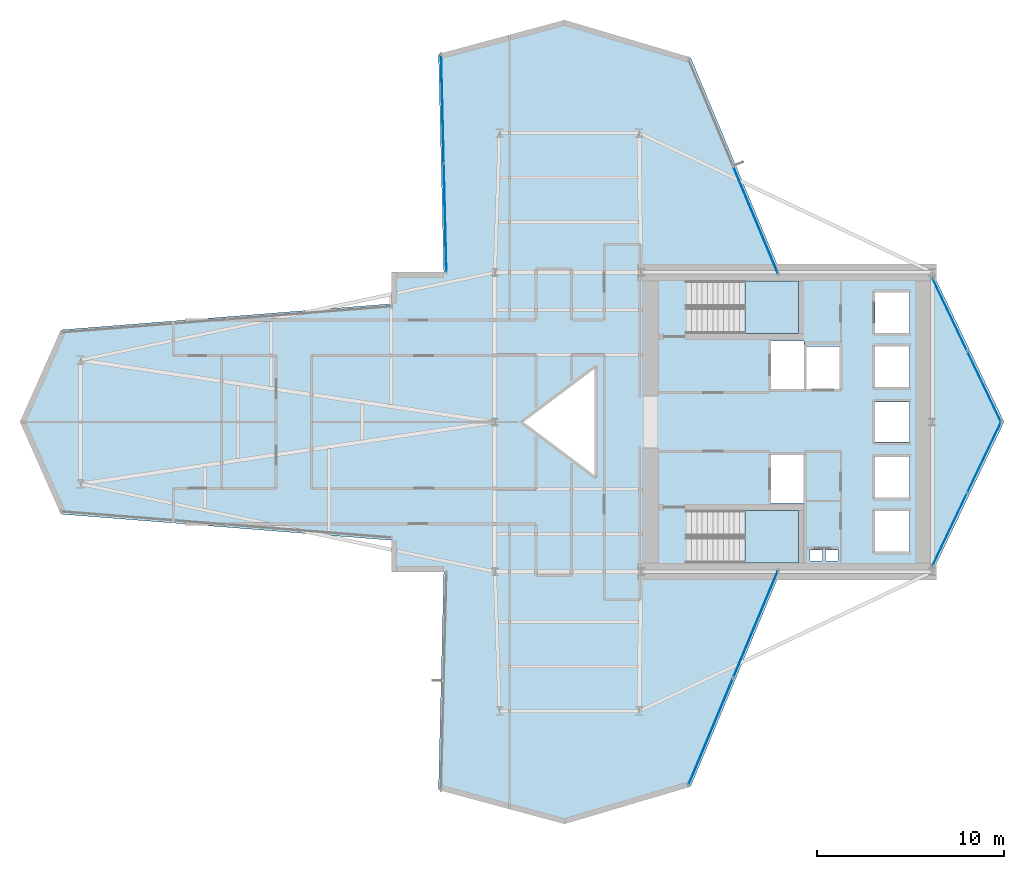
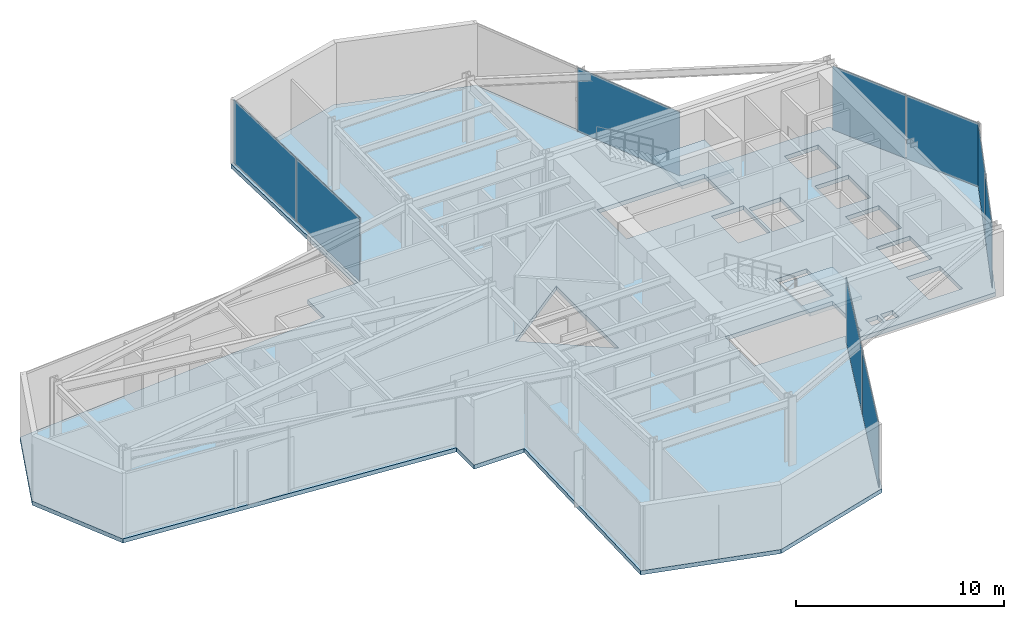
# One storey, part 20 of 25: 9 plates, 3 slabs, 7 elements without a shape of their own.
"""IFC4 building model written with IfcOpenShell, lengths in metres."""

import ifcopenshell
import ifcopenshell.guid

model = None  # the IFC model being written
_history = None  # IfcOwnerHistory: only IFC2X3 demands one
_inside = {}  # id of a spatial element -> (the spatial element, [elements in it])
_under = {}  # id of a project, library or spatial element -> (it, [spatial elements below it])
_declared = {}  # id of a project -> (the project, [libraries it declares])
_typed = {}  # id of a type object -> (the type object, [elements of that type])
_made_of = {}  # id of a material, layer set ... -> (it, [elements and type objects made of it])


def new_model(schema):
    """Start an empty IFC model of exactly this schema.

    Asked for "IFC4X3", IfcOpenShell would pick the latest addendum, in which some entities
    have other attributes; the version numbers below select the first issue.
    IFC2X3 requires an IfcOwnerHistory on every rooted entity: one is made here for all.
    """
    global model, _history
    if schema == "IFC4X3":
        model = ifcopenshell.file(schema_version=(4, 3, 0, 0))
    else:
        model = ifcopenshell.file(schema=schema)
    _inside.clear()
    _under.clear()
    _declared.clear()
    _typed.clear()
    _made_of.clear()
    _history = None
    if model.schema == "IFC2X3":
        org = make("IfcOrganization", Name="unknown")
        user = make(
            "IfcPersonAndOrganization",
            ThePerson=make("IfcPerson", FamilyName="unknown"),
            TheOrganization=org,
        )
        app = make(
            "IfcApplication",
            ApplicationDeveloper=org,
            Version="unknown",
            ApplicationFullName="unknown",
            ApplicationIdentifier="unknown",
        )
        _history = make(
            "IfcOwnerHistory",
            OwningUser=user,
            OwningApplication=app,
            ChangeAction="ADDED",
            CreationDate=0,
        )
    return model


def make(cls, **values):
    """One entity of the class cls with the attributes given. An attribute that is None is left unset."""
    return model.create_entity(
        cls, **{name: value for name, value in values.items() if value is not None}
    )


def rooted(cls, **values):
    """An entity with a GlobalId (a new one), such as an element, a storey or a relation."""
    return make(cls, GlobalId=ifcopenshell.guid.new(), OwnerHistory=_history, **values)


def si_unit(unit_type, name, prefix=None):
    """IfcSIUnit, for example si_unit("LENGTHUNIT", "METRE", prefix="MILLI")."""
    return make("IfcSIUnit", UnitType=unit_type, Prefix=prefix, Name=name)


def assignment(units):
    """IfcUnitAssignment: the units of a project."""
    return None if units is None else make("IfcUnitAssignment", Units=units)


def point(xyz):
    """IfcCartesianPoint."""
    return None if xyz is None else make("IfcCartesianPoint", Coordinates=xyz)


def direction(xyz):
    """IfcDirection."""
    return None if xyz is None else make("IfcDirection", DirectionRatios=xyz)


def frame(location, z_axis=None, x_axis=None):
    """IfcAxis2Placement3D, a coordinate frame: its origin and axes. An axis left out is left unset."""
    return make(
        "IfcAxis2Placement3D",
        Location=point(location),
        Axis=direction(z_axis),
        RefDirection=direction(x_axis),
    )


def frame_2d(location, x_axis=None):
    """IfcAxis2Placement2D, a coordinate frame in the plane: its origin and x axis."""
    return make(
        "IfcAxis2Placement2D", Location=point(location), RefDirection=direction(x_axis)
    )


def origin():
    """The frame at (0, 0, 0) with its axes left unset."""
    return frame((0.0, 0.0, 0.0))


def origin_2d():
    """The frame at (0, 0) in the plane with its x axis left unset."""
    return frame_2d((0.0, 0.0))


def place(relative_to, where):
    """IfcLocalPlacement: puts the frame where relative to a parent placement (None: the world)."""
    return make(
        "IfcLocalPlacement", PlacementRelTo=relative_to, RelativePlacement=where
    )


def context(
    kind, dimensions, precision=None, world=None, true_north=None, identifier=None
):
    """IfcGeometricRepresentationContext, for example the 3D "Model" context."""
    return make(
        "IfcGeometricRepresentationContext",
        ContextIdentifier=identifier,
        ContextType=kind,
        CoordinateSpaceDimension=dimensions,
        Precision=precision,
        WorldCoordinateSystem=world,
        TrueNorth=true_north,
    )


def subcontext(parent, identifier, kind, view, scale=None):
    """IfcGeometricRepresentationSubContext, for example "Body" below "Model"."""
    return make(
        "IfcGeometricRepresentationSubContext",
        ContextIdentifier=identifier,
        ContextType=kind,
        ParentContext=parent,
        TargetScale=scale,
        TargetView=view,
    )


def project(units=None, contexts=None):
    """IfcProject with its units and contexts."""
    return rooted(
        "IfcProject",
        Name="project",
        RepresentationContexts=contexts,
        UnitsInContext=assignment(units),
    )


def spatial(cls, under=None, at=None, **own):
    """A site, building, storey or space (cls), placed at a placement, below another one or the project."""
    s = rooted(cls, ObjectPlacement=at, **own)
    if under is not None:
        _under.setdefault(under.id(), (under, []))[1].append(s)
    return s


def polyline(points):
    """IfcPolyline through the points."""
    return make("IfcPolyline", Points=[point(p) for p in points])


def profile(cls, at=None, kind="AREA", **sizes):
    """A parametric profile (cls). Its sizes go by their IFC names, for example OverallWidth=200.0."""
    return make(cls, ProfileType=kind, Position=at, **sizes)


def rectangle(**sizes):
    """IfcRectangleProfileDef."""
    return profile("IfcRectangleProfileDef", **sizes)


def outline(outer, holes=None, kind="AREA"):
    """IfcArbitraryClosedProfileDef: a profile drawn as a closed curve; with holes, ...WithVoids."""
    if holes is None:
        return make("IfcArbitraryClosedProfileDef", ProfileType=kind, OuterCurve=outer)
    return make(
        "IfcArbitraryProfileDefWithVoids",
        ProfileType=kind,
        OuterCurve=outer,
        InnerCurves=holes,
    )


def extrude(swept, where, along, depth):
    """IfcExtrudedAreaSolid: the profile swept, set in the frame where, extruded along a direction by depth."""
    return make(
        "IfcExtrudedAreaSolid",
        SweptArea=swept,
        Position=where,
        ExtrudedDirection=direction(along),
        Depth=depth,
    )


def shape(context_of_items, identifier, shape_type, items):
    """IfcShapeRepresentation: the items that make up one representation, for example the "Body"."""
    return make(
        "IfcShapeRepresentation",
        ContextOfItems=context_of_items,
        RepresentationIdentifier=identifier,
        RepresentationType=shape_type,
        Items=items,
    )


def material(Name=None, Category=None):
    """IfcMaterial."""
    return make("IfcMaterial", Name=Name, Category=Category)


def layer(
    of_material, thickness, ventilated=None, Name=None, Category=None, Priority=None
):
    """IfcMaterialLayer: one layer of a wall or slab, of a material (None: an air gap)."""
    return make(
        "IfcMaterialLayer",
        Material=of_material,
        LayerThickness=thickness,
        IsVentilated=ventilated,
        Name=Name,
        Category=Category,
        Priority=Priority,
    )


def layer_set(layers, Name=None):
    """IfcMaterialLayerSet."""
    return make("IfcMaterialLayerSet", MaterialLayers=layers, LayerSetName=Name)


def made_of(thing, what):
    """Note that an element or type object is made of a material, layer set ...; save() writes the relation."""
    if what is not None:
        _made_of.setdefault(what.id(), (what, []))[1].append(thing)
    return thing


def type_object(cls, material=None, **own):
    """A type object (cls), such as IfcWallType, which elements share."""
    return made_of(rooted(cls, **own), material)


def element(
    cls,
    number,
    at=None,
    inside=None,
    cuts=None,
    type_object=None,
    material=None,
    context=None,
    identifier="Body",
    shape_type=None,
    held_by="IfcProductDefinitionShape",
    body=None,
    shapes=None,
    **own,
):
    """One element of the class cls, such as IfcWall. Its Tag is "e" and its number.

    at: its placement. inside: the storey or other place that contains it. cuts: it is an
    opening in that element (IfcRelVoidsElement). A single representation is given by context,
    identifier, shape_type and body (its items); several are given by shapes. held_by: the class
    of the entity that holds the representations. save() writes the other relations.
    """
    e = rooted(cls, Tag="e%d" % number, ObjectPlacement=at, **own)
    if body is not None:
        shapes = [shape(context, identifier, shape_type, body)]
    if shapes is not None:
        e.Representation = make(held_by, Representations=shapes)
    if inside is not None:
        _inside.setdefault(inside.id(), (inside, []))[1].append(e)
    if cuts is not None:
        rooted(
            "IfcRelVoidsElement", RelatingBuildingElement=cuts, RelatedOpeningElement=e
        )
    if type_object is not None:
        _typed.setdefault(type_object.id(), (type_object, []))[1].append(e)
    return made_of(e, material)


def aggregate(whole, parts):
    """IfcRelAggregates: a whole, such as a stair, and the parts it consists of."""
    return rooted("IfcRelAggregates", RelatingObject=whole, RelatedObjects=parts)


def save(model, path):
    """Write the relations noted so far, then the file.

    IfcRelAggregates (storeys below a building ...), IfcRelContainedInSpatialStructure (elements
    in a storey), IfcRelDefinesByType, IfcRelAssociatesMaterial and IfcRelDeclares: one each for
    every whole, place, type object, material and project.
    """
    for whole, parts in _under.values():
        aggregate(whole, parts)
    for where, things in _inside.values():
        rooted(
            "IfcRelContainedInSpatialStructure",
            RelatedElements=things,
            RelatingStructure=where,
        )
    for kind, things in _typed.values():
        rooted("IfcRelDefinesByType", RelatedObjects=things, RelatingType=kind)
    for what, things in _made_of.values():
        rooted("IfcRelAssociatesMaterial", RelatedObjects=things, RelatingMaterial=what)
    for by, libraries in _declared.values():
        rooted("IfcRelDeclares", RelatingContext=by, RelatedDefinitions=libraries)
    model.write(path)


model = new_model("IFC4")

# Units and contexts
model_context = context("Model", 3, precision=1e-05, world=origin(), true_north=direction((0.0, 1.0)))
body_context = subcontext(model_context, "Body", "Model", "MODEL_VIEW")
ifc_project = project(units=[si_unit("LENGTHUNIT", "METRE"), si_unit("AREAUNIT", "SQUARE_METRE"), si_unit("VOLUMEUNIT", "CUBIC_METRE"), si_unit("PLANEANGLEUNIT", "RADIAN"), si_unit("MASSUNIT", "GRAM", prefix="KILO")], contexts=[model_context])

# Site, building, storey
site_placement = place(None, origin())
site = spatial("IfcSite", under=ifc_project, at=site_placement, CompositionType="ELEMENT")
building_placement = place(site_placement, origin())
building = spatial("IfcBuilding", under=site, at=building_placement, Name="Veymaron Broadcast Tower", CompositionType="ELEMENT")
storey_placement = place(building_placement, frame((0.0, 0.0, 74.25)))
storey = spatial("IfcBuildingStorey", under=building, at=storey_placement, Name="L16", CompositionType="ELEMENT", Elevation=74.25)

# Curtain wall, plates
ifc_material_1 = material(Name="Anodised aluminium AA 6063-T6 and laminated low-E dark glass", Category="aluminium")
ifc_layer_1 = layer(ifc_material_1, 0.179931640625)
ifc_layer_set_1 = layer_set([ifc_layer_1], Name="Anodised aluminium AA 6063-T6 and laminated low-E dark glass")
curtain_wall_type = type_object("IfcCurtainWallType", Name="CW-SYS-02", PredefinedType="NOTDEFINED", material=ifc_layer_set_1)
curtain_wall_1_placement = place(storey_placement, origin())
curtain_wall_1 = element("IfcCurtainWall", 1, at=curtain_wall_1_placement, inside=storey, type_object=curtain_wall_type, Name="L16 dark-glass curtain wall CW-L16-E2-1", PredefinedType="NOTDEFINED")
ifc_material_2 = material(Name="Double-silver solar-control dark glass IGU 32 mm", Category="glass")
ifc_layer_2 = layer(ifc_material_2, 0.031982421875)
ifc_layer_set_2 = layer_set([ifc_layer_2], Name="Double-silver solar-control dark glass IGU 32 mm")
plate_type = type_object("IfcPlateType", Name="CW-PNL-02", PredefinedType="CURTAIN_PANEL", material=ifc_layer_set_2)
plate_1_placement = place(storey_placement, frame((55.52099609375, 18.2529296875, 0.0400390625), z_axis=(0.0, 0.0, 1.0), x_axis=(0.431078122851, 0.902314608105, 0.0)))
plate_1 = element("IfcPlate", 2, at=plate_1_placement, type_object=plate_type, Name="CW-L16-E2-1 unitised curtain panel 0", PredefinedType="CURTAIN_PANEL", context=body_context, shape_type="SweptSolid", body=[
    extrude(rectangle(XDim=4.23095703125, YDim=0.031982421875, at=origin_2d()), origin(), (0.0, 0.0, 1.0), 3.72998046875),
])
plate_2_placement = place(storey_placement, frame((57.370849609375, 22.12451171875, 0.0400390625), z_axis=(0.0, 0.0, 1.0), x_axis=(0.431078122851, 0.902314608105, 0.0)))
plate_2 = element("IfcPlate", 3, at=plate_2_placement, type_object=plate_type, Name="CW-L16-E2-1 unitised curtain panel 1", PredefinedType="CURTAIN_PANEL", context=body_context, shape_type="SweptSolid", body=[
    extrude(rectangle(XDim=4.23095703125, YDim=0.031982421875, at=origin_2d()), origin(), (0.0, 0.0, 1.0), 3.72998046875),
])
aggregate(curtain_wall_1, [plate_1, plate_2])

curtain_wall_2_placement = place(storey_placement, origin())
curtain_wall_2 = element("IfcCurtainWall", 4, at=curtain_wall_2_placement, inside=storey, type_object=curtain_wall_type, Name="L16 dark-glass curtain wall CW-L16-E3-1", PredefinedType="NOTDEFINED")
plate_3_placement = place(storey_placement, frame((57.370849609375, 25.87548828125, 0.0400390625), z_axis=(0.0, 0.0, 1.0), x_axis=(-0.431078122851, 0.902314608105, 0.0)))
plate_3 = element("IfcPlate", 5, at=plate_3_placement, type_object=plate_type, Name="CW-L16-E3-1 unitised curtain panel 0", PredefinedType="CURTAIN_PANEL", context=body_context, shape_type="SweptSolid", body=[
    extrude(rectangle(XDim=4.23095703125, YDim=0.031982421875, at=origin_2d()), origin(), (0.0, 0.0, 1.0), 3.72998046875),
])
plate_4_placement = place(storey_placement, frame((55.52099609375, 29.7470703125, 0.0400390625), z_axis=(0.0, 0.0, 1.0), x_axis=(-0.431078122851, 0.902314608105, 0.0)))
plate_4 = element("IfcPlate", 6, at=plate_4_placement, type_object=plate_type, Name="CW-L16-E3-1 unitised curtain panel 1", PredefinedType="CURTAIN_PANEL", context=body_context, shape_type="SweptSolid", body=[
    extrude(rectangle(XDim=4.23095703125, YDim=0.031982421875, at=origin_2d()), origin(), (0.0, 0.0, 1.0), 3.72998046875),
])
aggregate(curtain_wall_2, [plate_3, plate_4])

# Curtain wall, plate
curtain_wall_3_placement = place(storey_placement, origin())
curtain_wall_3 = element("IfcCurtainWall", 7, at=curtain_wall_3_placement, inside=storey, type_object=curtain_wall_type, Name="L16 dark-glass curtain wall CW-L16-E5-1", PredefinedType="NOTDEFINED")
plate_5_placement = place(storey_placement, frame((45.13720703125, 34.81689453125, 0.0400390625), z_axis=(0.0, 0.0, 1.0), x_axis=(-0.3854873681, 0.922713113072, 0.0)))
plate_5 = element("IfcPlate", 8, at=plate_5_placement, type_object=plate_type, Name="CW-L16-E5-1 unitised curtain panel 0", PredefinedType="CURTAIN_PANEL", context=body_context, shape_type="SweptSolid", body=[
    extrude(rectangle(XDim=6.1630859375, YDim=0.031982421875, at=origin_2d()), origin(), (0.0, 0.0, 1.0), 3.72998046875),
])
aggregate(curtain_wall_3, [plate_5])

# Curtain wall, plates
curtain_wall_4_placement = place(storey_placement, origin())
curtain_wall_4 = element("IfcCurtainWall", 9, at=curtain_wall_4_placement, inside=storey, type_object=curtain_wall_type, Name="L16 dark-glass curtain wall CW-L16-E8-1", PredefinedType="NOTDEFINED")
plate_6_placement = place(storey_placement, frame((28.39501953125, 40.7529296875, 0.0400390625), z_axis=(0.0, 0.0, 1.0), x_axis=(0.024379833872, -0.999702767677, 0.0)))
plate_6 = element("IfcPlate", 10, at=plate_6_placement, type_object=plate_type, Name="CW-L16-E8-1 unitised curtain panel 0", PredefinedType="CURTAIN_PANEL", context=body_context, shape_type="SweptSolid", body=[
    extrude(rectangle(XDim=5.774658203125, YDim=0.031982421875, at=origin_2d()), origin(), (0.0, 0.0, 1.0), 3.72998046875),
])
plate_7_placement = place(storey_placement, frame((28.537353515625, 34.919921875, 0.0400390625), z_axis=(0.0, 0.0, 1.0), x_axis=(0.024379833872, -0.999702767677, 0.0)))
plate_7 = element("IfcPlate", 11, at=plate_7_placement, type_object=plate_type, Name="CW-L16-E8-1 unitised curtain panel 1", PredefinedType="CURTAIN_PANEL", context=body_context, shape_type="SweptSolid", body=[
    extrude(rectangle(XDim=5.774658203125, YDim=0.031982421875, at=origin_2d()), origin(), (0.0, 0.0, 1.0), 3.72998046875),
])
aggregate(curtain_wall_4, [plate_6, plate_7])

curtain_wall_5_placement = place(storey_placement, origin())
curtain_wall_5 = element("IfcCurtainWall", 12, at=curtain_wall_5_placement, inside=storey, type_object=curtain_wall_type, Name="L16 dark-glass curtain wall CW-L16-E20-1", PredefinedType="NOTDEFINED")
plate_8_placement = place(storey_placement, frame((42.73828125, 7.44091796875, 0.0400390625), z_axis=(0.0, 0.0, 1.0), x_axis=(0.3854873681, 0.922713113072, 0.0)))
plate_8 = element("IfcPlate", 13, at=plate_8_placement, type_object=plate_type, Name="CW-L16-E20-1 unitised curtain panel 0", PredefinedType="CURTAIN_PANEL", context=body_context, shape_type="SweptSolid", body=[
    extrude(rectangle(XDim=6.1630859375, YDim=0.031982421875, at=origin_2d()), origin(), (0.0, 0.0, 1.0), 3.72998046875),
])
plate_9_placement = place(storey_placement, frame((45.13720703125, 13.18310546875, 0.0400390625), z_axis=(0.0, 0.0, 1.0), x_axis=(0.3854873681, 0.922713113072, 0.0)))
plate_9 = element("IfcPlate", 14, at=plate_9_placement, type_object=plate_type, Name="CW-L16-E20-1 unitised curtain panel 1", PredefinedType="CURTAIN_PANEL", context=body_context, shape_type="SweptSolid", body=[
    extrude(rectangle(XDim=6.1630859375, YDim=0.031982421875, at=origin_2d()), origin(), (0.0, 0.0, 1.0), 3.72998046875),
])
aggregate(curtain_wall_5, [plate_8, plate_9])

# Slab
ifc_material_3 = material(Name="Concrete C40/50", Category="concrete")
ifc_layer_3 = layer(ifc_material_3, 0.239990234375)
ifc_layer_set_3 = layer_set([ifc_layer_3], Name="Concrete C40/50")
slab_type_1 = type_object("IfcSlabType", Name="SLAB-FS6", PredefinedType="FLOOR", material=ifc_layer_set_3)
slab_1_placement = place(storey_placement, frame((0.0, 0.0, -0.239990234375)))
element("IfcSlab", 15, at=slab_1_placement, inside=storey, type_object=slab_type_1, Name="L16 structural floor slab", PredefinedType="FLOOR", context=body_context, shape_type="SweptSolid", body=[
    extrude(outline(polyline([(46.4658203125, 16.0), (54.60009765625, 16.0), (58.422119140625, 24.0), (54.60009765625, 32.0), (46.4658203125, 32.0), (41.66796875, 43.48388671875), (34.926025390625, 45.486083984375), (28.18408203125, 43.666015625), (28.468505859375, 32.0), (25.68798828125, 32.0), (25.68798828125, 30.32470703125), (8.0, 28.927001953125), (5.81591796875, 24.0), (8.0, 19.072998046875), (25.68798828125, 17.67529296875), (25.68798828125, 16.0), (28.468505859375, 16.0), (28.18408203125, 4.333984375), (34.926025390625, 2.513916015625), (41.66796875, 4.51611328125), (46.4658203125, 16.0)]), holes=[polyline([(45.969970703125, 28.330078125), (47.72998046875, 28.330078125), (47.72998046875, 25.77001953125), (45.969970703125, 25.77001953125), (45.969970703125, 28.330078125)]), polyline([(45.969970703125, 22.22998046875), (47.72998046875, 22.22998046875), (47.72998046875, 19.669921875), (45.969970703125, 19.669921875), (45.969970703125, 22.22998046875)]), polyline([(47.8701171875, 28.030029296875), (49.6298828125, 28.030029296875), (49.6298828125, 25.77001953125), (47.8701171875, 25.77001953125), (47.8701171875, 28.030029296875)]), polyline([(51.52001953125, 30.929931640625), (53.3798828125, 30.929931640625), (53.3798828125, 28.77001953125), (51.52001953125, 28.77001953125), (51.52001953125, 30.929931640625)]), polyline([(51.52001953125, 28.030029296875), (53.3798828125, 28.030029296875), (53.3798828125, 25.8701171875), (51.52001953125, 25.8701171875), (51.52001953125, 28.030029296875)]), polyline([(51.52001953125, 22.1298828125), (53.3798828125, 22.1298828125), (53.3798828125, 19.969970703125), (51.52001953125, 19.969970703125), (51.52001953125, 22.1298828125)]), polyline([(51.52001953125, 25.080078125), (53.3798828125, 25.080078125), (53.3798828125, 22.919921875), (51.52001953125, 22.919921875), (51.52001953125, 25.080078125)]), polyline([(51.52001953125, 19.22998046875), (53.3798828125, 19.22998046875), (53.3798828125, 17.070068359375), (51.52001953125, 17.070068359375), (51.52001953125, 19.22998046875)]), polyline([(48.050048828125, 17.159912109375), (48.719970703125, 17.159912109375), (48.719970703125, 16.56005859375), (48.050048828125, 16.56005859375), (48.050048828125, 17.159912109375)]), polyline([(48.8798828125, 17.159912109375), (49.550048828125, 17.159912109375), (49.550048828125, 16.56005859375), (48.8798828125, 16.56005859375), (48.8798828125, 17.159912109375)]), polyline([(36.60009765625, 27.0), (36.60009765625, 21.0), (32.60009765625, 24.0), (36.60009765625, 27.0)]), polyline([(41.489990234375, 31.550048828125), (47.43994140625, 31.550048828125), (47.43994140625, 28.72998046875), (41.489990234375, 28.72998046875), (41.489990234375, 31.550048828125)]), polyline([(41.489990234375, 19.27001953125), (47.43994140625, 19.27001953125), (47.43994140625, 16.449951171875), (41.489990234375, 16.449951171875), (41.489990234375, 19.27001953125)])]), origin(), (0.0, 0.0, 1.0), 0.239990234375),
])

# Stair, slab
ifc_material_4 = material(Name="Concrete C50/60", Category="concrete")
stair_type_1 = type_object("IfcStairType", Name="STAIR-CORE-1", PredefinedType="HALF_TURN_STAIR", material=ifc_material_4)
stair_1_placement = place(storey_placement, origin())
stair_1 = element("IfcStair", 16, at=stair_1_placement, inside=storey, type_object=stair_type_1, Name="L16 North protected dog-leg exit stair ST1", PredefinedType="HALF_TURN_STAIR")
ifc_layer_4 = layer(ifc_material_4, 0.199951171875)
ifc_layer_set_4 = layer_set([ifc_layer_4], Name="Concrete C50/60")
slab_type_2 = type_object("IfcSlabType", Name="SLAB-STAIR-LDG", PredefinedType="LANDING", material=ifc_layer_set_4)
slab_2_placement = place(storey_placement, frame((0.0, 0.0, 1.824951171875)))
slab_2 = element("IfcSlab", 17, at=slab_2_placement, type_object=slab_type_2, Name="ST1 landing 1", PredefinedType="LANDING", context=body_context, shape_type="SweptSolid", body=[
    extrude(outline(polyline([(44.56494140625, 28.72998046875), (47.43994140625, 28.72998046875), (47.43994140625, 31.550048828125), (44.56494140625, 31.550048828125), (44.56494140625, 28.72998046875)])), origin(), (0.0, 0.0, 1.0), 0.199951171875),
])
aggregate(stair_1, [slab_2])

stair_type_2 = type_object("IfcStairType", Name="STAIR-CORE-2", PredefinedType="HALF_TURN_STAIR", material=ifc_material_4)
stair_2_placement = place(storey_placement, origin())
stair_2 = element("IfcStair", 18, at=stair_2_placement, inside=storey, type_object=stair_type_2, Name="L16 South protected dog-leg exit stair ST2", PredefinedType="HALF_TURN_STAIR")
slab_3_placement = place(storey_placement, frame((0.0, 0.0, 1.824951171875)))
slab_3 = element("IfcSlab", 19, at=slab_3_placement, type_object=slab_type_2, Name="ST2 landing 1", PredefinedType="LANDING", context=body_context, shape_type="SweptSolid", body=[
    extrude(outline(polyline([(44.56494140625, 16.449951171875), (47.43994140625, 16.449951171875), (47.43994140625, 19.27001953125), (44.56494140625, 19.27001953125), (44.56494140625, 16.449951171875)])), origin(), (0.0, 0.0, 1.0), 0.199951171875),
])
aggregate(stair_2, [slab_3])

save(model, "model.ifc")
